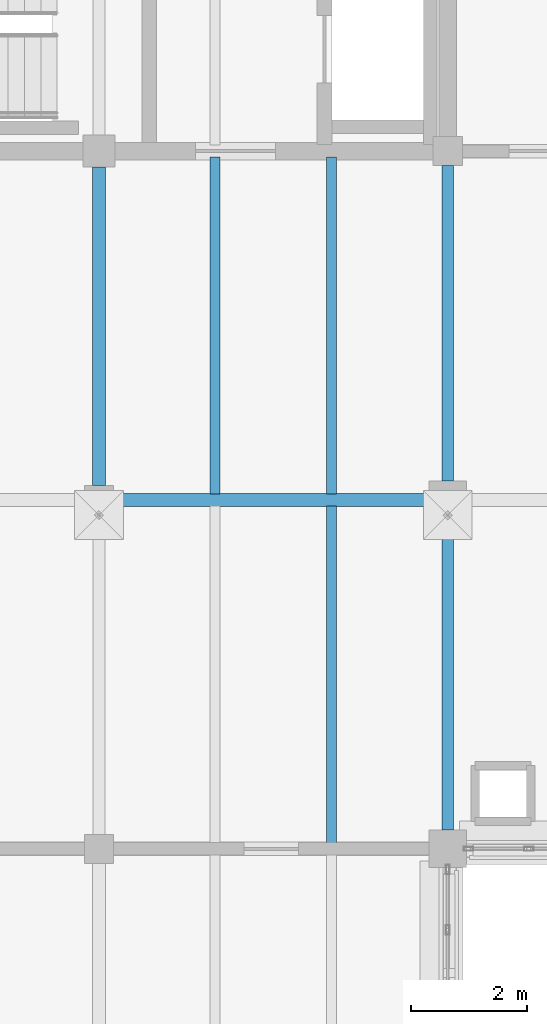
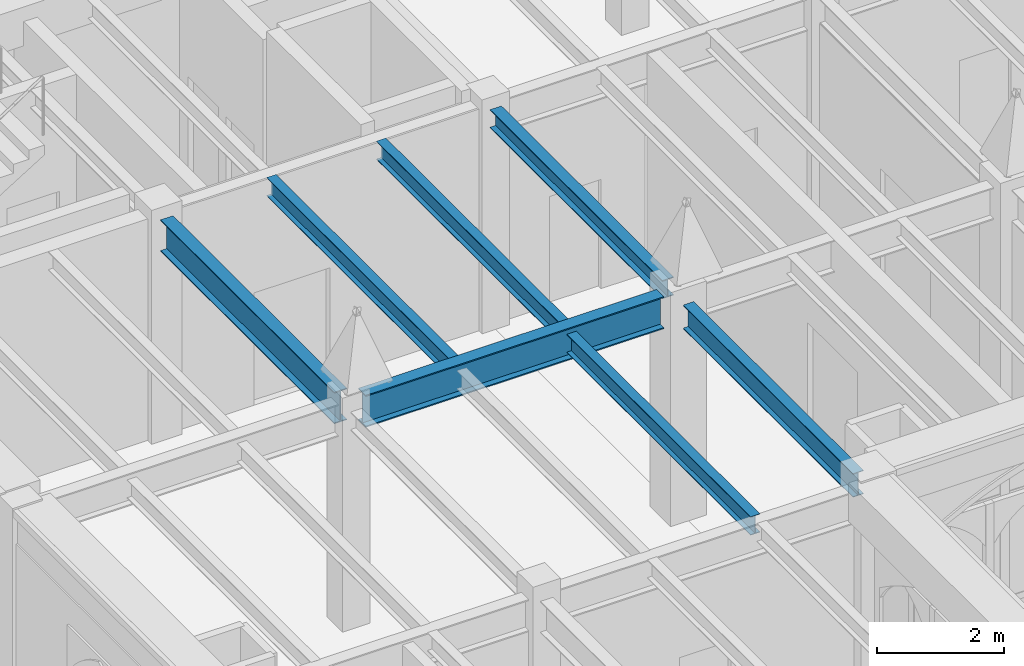
# One storey, part 64 of 143: 7 beams.
"""IFC4 building model written with IfcOpenShell, lengths in metres."""

from ifc_helpers import new_model, si_unit, direction, frame, origin, origin_2d, place, context, subcontext, project, spatial, i_section, extrude, material, material_profile, profile_set, type_object, element, save


model = new_model("IFC4")

# Units and contexts
model_context = context("Model", 3, precision=1e-05, world=origin(), true_north=direction((0.0, 1.0)))
body_context = subcontext(model_context, "Body", "Model", "MODEL_VIEW")
ifc_project = project(units=[si_unit("LENGTHUNIT", "METRE"), si_unit("AREAUNIT", "SQUARE_METRE"), si_unit("VOLUMEUNIT", "CUBIC_METRE"), si_unit("PLANEANGLEUNIT", "RADIAN"), si_unit("MASSUNIT", "GRAM", prefix="KILO")], contexts=[model_context])

# Site, building, storey
site_placement = place(None, origin())
site = spatial("IfcSite", under=ifc_project, at=site_placement, CompositionType="ELEMENT")
building_placement = place(site_placement, origin())
building = spatial("IfcBuilding", under=site, at=building_placement, Name="Cumevento Cable Car Station", CompositionType="ELEMENT")
storey_placement = place(building_placement, frame((0.0, 0.0, 9.0)))
storey = spatial("IfcBuildingStorey", under=building, at=storey_placement, Name="L03", CompositionType="ELEMENT", Elevation=9.0)

# Beams
ifc_material_1 = material(Name="Steel ASTM A572 Grade 50", Category="steel")
ifc_material_profile_1 = material_profile(ifc_material_1, i_section(OverallWidth=0.22998046875, OverallDepth=0.616943359375, WebThickness=0.01318359375, FlangeThickness=0.022216796875, at=origin_2d()), Name="W610x140.0")
ifc_profile_set_1 = profile_set([ifc_material_profile_1], Name="Steel ASTM A572 Grade 50")
beam_type_1 = type_object("IfcBeamType", Name="Structural Beam BM-01 W610x140.0", PredefinedType="BEAM", material=ifc_profile_set_1)
beam_1_placement = place(storey_placement, frame((124.25, 39.0, 3.991455078125), z_axis=(1.0, 0.0, 0.0), x_axis=(0.0, 1.0, 0.0)))
element("IfcBeam", 1, at=beam_1_placement, inside=storey, type_object=beam_type_1, Name="Beam BM-01 L03 #1151", PredefinedType="BEAM", context=body_context, shape_type="SweptSolid", body=[
    extrude(i_section(OverallWidth=0.22998046875, OverallDepth=0.616943359375, WebThickness=0.01318359375, FlangeThickness=0.022216796875, at=origin_2d()), origin(), (0.0, 0.0, 1.0), 5.425048828125),
])
ifc_material_2 = material(Name="Steel ASTM A572 Grade 50", Category="steel")
ifc_material_profile_2 = material_profile(ifc_material_2, i_section(OverallWidth=0.22802734375, OverallDepth=0.60791015625, WebThickness=0.01123046875, FlangeThickness=0.017333984375, at=origin_2d()), Name="W610x113.0")
ifc_profile_set_2 = profile_set([ifc_material_profile_2], Name="Steel ASTM A572 Grade 50")
beam_type_2 = type_object("IfcBeamType", Name="Structural Beam BM-02 W610x113.0", PredefinedType="BEAM", material=ifc_profile_set_2)
beam_2_placement = place(storey_placement, frame((124.0, 39.25, 3.9599609375), z_axis=(0.0, 1.0, 0.0), x_axis=(-1.0, 0.0, 0.0)))
element("IfcBeam", 2, at=beam_2_placement, inside=storey, type_object=beam_type_2, Name="Beam BM-02 L03 #1159", PredefinedType="BEAM", context=body_context, shape_type="SweptSolid", body=[
    extrude(i_section(OverallWidth=0.22802734375, OverallDepth=0.60791015625, WebThickness=0.01123046875, FlangeThickness=0.017333984375, at=origin_2d()), origin(), (0.0, 0.0, 1.0), 5.47509765625),
])
ifc_material_3 = material(Name="Steel ASTM A572 Grade 50", Category="steel")
ifc_material_profile_3 = material_profile(ifc_material_3, i_section(OverallWidth=0.18994140625, OverallDepth=0.45703125, WebThickness=0.009033203125, FlangeThickness=0.014404296875, at=origin_2d()), Name="W460x74.0")
ifc_profile_set_3 = profile_set([ifc_material_profile_3], Name="Steel ASTM A572 Grade 50")
beam_type_3 = type_object("IfcBeamType", Name="Structural Beam BM-04 W460x74.0", PredefinedType="BEAM", material=ifc_profile_set_3)
beam_3_placement = place(storey_placement, frame((130.0, 33.324951171875, 3.95654296875), z_axis=(0.0, 1.0, 0.0), x_axis=(-1.0, 0.0, 0.0)))
element("IfcBeam", 3, at=beam_3_placement, inside=storey, type_object=beam_type_3, Name="Beam BM-04 L03 #1160", PredefinedType="BEAM", context=body_context, shape_type="SweptSolid", body=[
    extrude(i_section(OverallWidth=0.18994140625, OverallDepth=0.45703125, WebThickness=0.009033203125, FlangeThickness=0.014404296875, at=origin_2d()), origin(), (0.0, 0.0, 1.0), 5.35009765625),
])
ifc_material_4 = material(Name="Steel ASTM A572 Grade 50", Category="steel")
ifc_material_profile_4 = material_profile(ifc_material_4, i_section(OverallWidth=0.205078125, OverallDepth=0.35400390625, WebThickness=0.009521484375, FlangeThickness=0.016845703125, at=origin_2d()), Name="W360x79.0")
ifc_profile_set_4 = profile_set([ifc_material_profile_4], Name="Steel ASTM A572 Grade 50")
beam_type_4 = type_object("IfcBeamType", Name="Structural Beam BM-05 W360x79.0", PredefinedType="BEAM", material=ifc_profile_set_4)
beam_4_placement = place(storey_placement, frame((130.0, 39.324951171875, 4.0869140625), z_axis=(0.0, 1.0, 0.0), x_axis=(-1.0, 0.0, 0.0)))
element("IfcBeam", 4, at=beam_4_placement, inside=storey, type_object=beam_type_4, Name="Beam BM-05 L03 #1161", PredefinedType="BEAM", context=body_context, shape_type="SweptSolid", body=[
    extrude(i_section(OverallWidth=0.205078125, OverallDepth=0.35400390625, WebThickness=0.009521484375, FlangeThickness=0.016845703125, at=origin_2d()), origin(), (0.0, 0.0, 1.0), 5.425048828125),
])
ifc_material_5 = material(Name="Steel ASTM A572 Grade 50", Category="steel")
ifc_material_profile_5 = material_profile(ifc_material_5, i_section(OverallWidth=0.1708984375, OverallDepth=0.35498046875, WebThickness=0.007080078125, FlangeThickness=0.01171875, at=origin_2d()), Name="W360x51.0")
ifc_profile_set_5 = profile_set([ifc_material_profile_5], Name="Steel ASTM A572 Grade 50")
beam_type_5 = type_object("IfcBeamType", Name="Structural Joist JS-01 W360x51.0", PredefinedType="JOIST", material=ifc_profile_set_5)
for number, where, z_axis, x_axis, name in (
    (5, (126.0, 39.10302734375, 4.08642578125), (0.0, 1.0, 0.0), (-1.0, 0.0, 0.0), "Composite Floor Joist JS-01 L03 #1306"),
    (6, (128.0, 33.10302734375, 4.007568359375), (0.0, 1.0, 0.0), (-1.0, 0.0, 0.0), "Composite Floor Joist JS-01 L03 #1307"),
    (7, (128.0, 39.10302734375, 4.08642578125), (0.0, 1.0, 0.0), (-1.0, 0.0, 0.0), "Composite Floor Joist JS-01 L03 #1308"),
):
    element("IfcBeam", number, at=place(storey_placement, frame(where, z_axis=z_axis, x_axis=x_axis)), inside=storey, type_object=beam_type_5, Name=name, PredefinedType="JOIST", context=body_context, shape_type="SweptSolid", body=[
        extrude(i_section(OverallWidth=0.1708984375, OverallDepth=0.35498046875, WebThickness=0.007080078125, FlangeThickness=0.01171875, at=origin_2d()), origin(), (0.0, 0.0, 1.0), 5.7939453125),
    ])

save(model, "model.ifc")
